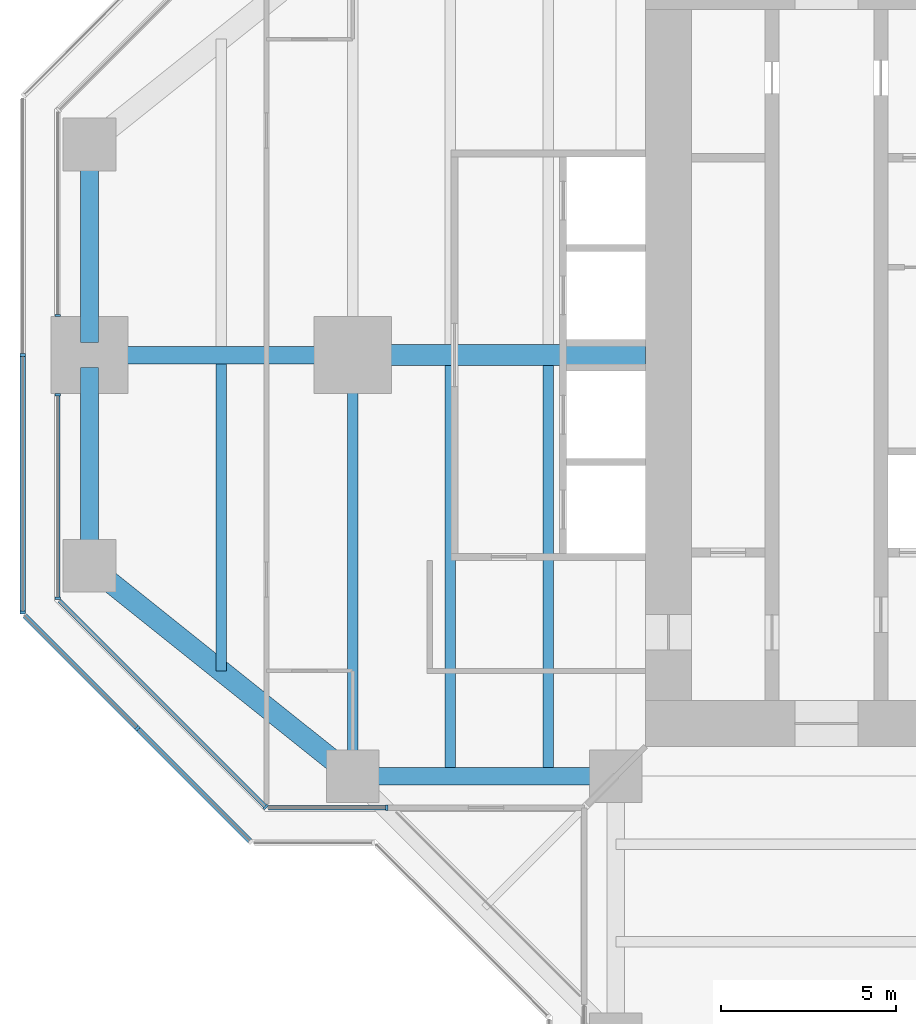
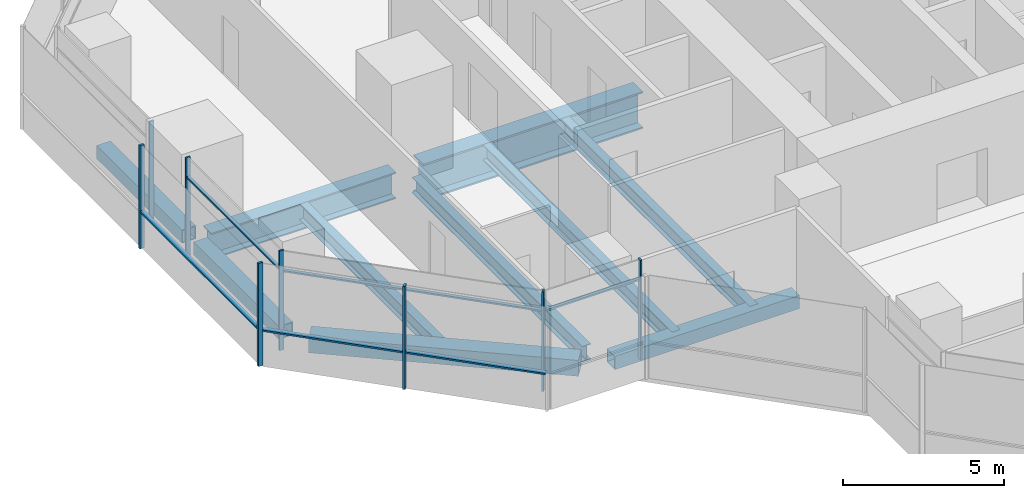
# One storey, part 3 of 17: 14 members, 10 beams, 6 elements without a shape of their own.
"""IFC4 building model written with IfcOpenShell, lengths in metres."""

from ifc_helpers import new_model, si_unit, direction, frame, origin, origin_2d, place, context, subcontext, project, spatial, rectangle, hollow_rectangle, i_section, extrude, material, material_profile, profile_set, type_object, element, aggregate, save


model = new_model("IFC4")

# Units and contexts
model_context = context("Model", 3, precision=1e-05, world=origin(), true_north=direction((0.0, 1.0)))
body_context = subcontext(model_context, "Body", "Model", "MODEL_VIEW")
ifc_project = project(units=[si_unit("LENGTHUNIT", "METRE"), si_unit("AREAUNIT", "SQUARE_METRE"), si_unit("VOLUMEUNIT", "CUBIC_METRE"), si_unit("PLANEANGLEUNIT", "RADIAN"), si_unit("MASSUNIT", "GRAM", prefix="KILO")], contexts=[model_context])

# Site, building, storey
site_placement = place(None, origin())
site = spatial("IfcSite", under=ifc_project, at=site_placement, CompositionType="ELEMENT")
building_placement = place(site_placement, origin())
building = spatial("IfcBuilding", under=site, at=building_placement, Name="Mizan Broadcast Tower", CompositionType="ELEMENT")
storey_placement = place(building_placement, frame((0.0, 0.0, 247.800048828125)))
storey = spatial("IfcBuildingStorey", under=building, at=storey_placement, Name="L58", CompositionType="ELEMENT", Elevation=247.800048828125)

# Beams
ifc_material_1 = material(Name="Steel S355", Category="steel")
ifc_material_profile_1 = material_profile(ifc_material_1, hollow_rectangle(XDim=0.5, YDim=0.5, WallThickness=0.030029296875, at=origin_2d()), Name="BOX 500x500x30")
ifc_profile_set_1 = profile_set([ifc_material_profile_1], Name="Steel S355")
beam_type_1 = type_object("IfcBeamType", Name="EDGE BEAM BOX 500x500x30", PredefinedType="SPANDREL", material=ifc_profile_set_1)
beam_1_placement = place(storey_placement, frame((-27.0, 5.639892578125, -0.380126953125), z_axis=(0.0, -1.0, 0.0), x_axis=(1.0, 0.0, 0.0)))
element("IfcBeam", 1, at=beam_1_placement, inside=storey, type_object=beam_type_1, Name="Edge beam BOX 500x500x30 L58 west arm", PredefinedType="SPANDREL", context=body_context, shape_type="SweptSolid", body=[
    extrude(hollow_rectangle(XDim=0.5, YDim=0.5, WallThickness=0.030029296875, at=origin_2d()), origin(), (0.0, 0.0, 1.0), 5.27978515625),
])
beam_2_placement = place(storey_placement, frame((-12.449951171875, -12.0, -0.380126953125), z_axis=(-1.0, 0.0, 0.0), x_axis=(0.0, -1.0, 0.0)))
element("IfcBeam", 2, at=beam_2_placement, inside=storey, type_object=beam_type_1, Name="Edge beam BOX 500x500x30 L58 west arm", PredefinedType="SPANDREL", context=body_context, shape_type="SweptSolid", body=[
    extrude(hollow_rectangle(XDim=0.5, YDim=0.5, WallThickness=0.030029296875, at=origin_2d()), origin(), (0.0, 0.0, 1.0), 6.60009765625),
])
beam_3_placement = place(storey_placement, frame((-27.0, -5.639892578125, -0.380126953125), z_axis=(0.0, 1.0, 0.0), x_axis=(-1.0, 0.0, 0.0)))
element("IfcBeam", 3, at=beam_3_placement, inside=storey, type_object=beam_type_1, Name="Edge beam BOX 500x500x30 L58 west arm", PredefinedType="SPANDREL", context=body_context, shape_type="SweptSolid", body=[
    extrude(hollow_rectangle(XDim=0.5, YDim=0.5, WallThickness=0.030029296875, at=origin_2d()), origin(), (0.0, 0.0, 1.0), 5.27978515625),
])
ifc_material_2 = material(Name="Steel S355", Category="steel")
ifc_material_profile_2 = material_profile(ifc_material_2, hollow_rectangle(XDim=0.60009765625, YDim=0.60009765625, WallThickness=0.030029296875, at=origin_2d()), Name="BOX 600x600x30")
ifc_profile_set_2 = profile_set([ifc_material_profile_2], Name="Steel S355")
beam_type_2 = type_object("IfcBeamType", Name="EDGE BEAM BOX 600x600x30", PredefinedType="SPANDREL", material=ifc_profile_set_2)
beam_4_placement = place(storey_placement, frame((-19.949951171875, -11.639892578125, -0.429931640625), z_axis=(-0.780885717636, 0.624673911726, 0.0), x_axis=(-0.624673911726, -0.780885717636, 0.0)))
element("IfcBeam", 4, at=beam_4_placement, inside=storey, type_object=beam_type_2, Name="Edge beam BOX 600x600x30 L58 west arm", PredefinedType="SPANDREL", context=body_context, shape_type="SweptSolid", body=[
    extrude(hollow_rectangle(XDim=0.60009765625, YDim=0.60009765625, WallThickness=0.030029296875, at=origin_2d()), origin(), (0.0, 0.0, 1.0), 8.4521484375),
])
ifc_material_3 = material(Name="Steel S355", Category="steel")
ifc_material_profile_3 = material_profile(ifc_material_3, i_section(OverallWidth=0.300048828125, OverallDepth=0.590087890625, WebThickness=0.012939453125, FlangeThickness=0.02490234375, FilletRadius=0.027099609375, at=origin_2d()), Name="HEA 600")
ifc_profile_set_3 = profile_set([ifc_material_profile_3], Name="Steel S355")
beam_type_3 = type_object("IfcBeamType", Name="GIRDER HEA 600", PredefinedType="BEAM", material=ifc_profile_set_3)
beam_5_placement = place(storey_placement, frame((-19.5, -11.280029296875, -0.425048828125), z_axis=(0.0, 1.0, 0.0), x_axis=(-1.0, 0.0, 0.0)))
element("IfcBeam", 5, at=beam_5_placement, inside=storey, type_object=beam_type_3, Name="Girder HEA 600 L58 west arm", PredefinedType="BEAM", context=body_context, shape_type="SweptSolid", body=[
    extrude(i_section(OverallWidth=0.300048828125, OverallDepth=0.590087890625, WebThickness=0.012939453125, FlangeThickness=0.02490234375, FilletRadius=0.027099609375, at=origin_2d()), origin(), (0.0, 0.0, 1.0), 10.56005859375),
])
ifc_material_4 = material(Name="Steel S460", Category="steel")
ifc_material_profile_4 = material_profile(ifc_material_4, i_section(OverallWidth=0.5, OverallDepth=1.0, WebThickness=0.02490234375, FlangeThickness=0.050048828125, at=origin_2d()), Name="WPG 1000x500")
ifc_profile_set_4 = profile_set([ifc_material_profile_4], Name="Steel S460")
beam_type_4 = type_object("IfcBeamType", Name="GIRDER WPG 1000x500", PredefinedType="BEAM", material=ifc_profile_set_4)
beam_6_placement = place(storey_placement, frame((-19.949951171875, 0.0, -0.630126953125), z_axis=(-1.0, 0.0, 0.0), x_axis=(0.0, -1.0, 0.0)))
element("IfcBeam", 6, at=beam_6_placement, inside=storey, type_object=beam_type_4, Name="Girder WPG 1000x500 L58 west arm", PredefinedType="BEAM", context=body_context, shape_type="SweptSolid", body=[
    extrude(i_section(OverallWidth=0.5, OverallDepth=1.0, WebThickness=0.02490234375, FlangeThickness=0.050048828125, at=origin_2d()), origin(), (0.0, 0.0, 1.0), 6.60009765625),
])
ifc_material_5 = material(Name="Steel S460", Category="steel")
ifc_material_profile_5 = material_profile(ifc_material_5, i_section(OverallWidth=0.60009765625, OverallDepth=1.39990234375, WebThickness=0.02490234375, FlangeThickness=0.06005859375, at=origin_2d()), Name="WPG 1400x600")
ifc_profile_set_5 = profile_set([ifc_material_profile_5], Name="Steel S460")
beam_type_5 = type_object("IfcBeamType", Name="GIRDER WPG 1400x600", PredefinedType="BEAM", material=ifc_profile_set_5)
beam_7_placement = place(storey_placement, frame((-11.14990234375, 0.0, -0.830078125), z_axis=(-1.0, 0.0, 0.0), x_axis=(0.0, -1.0, 0.0)))
element("IfcBeam", 7, at=beam_7_placement, inside=storey, type_object=beam_type_5, Name="Girder WPG 1400x600 L58 west arm", PredefinedType="BEAM", context=body_context, shape_type="SweptSolid", body=[
    extrude(i_section(OverallWidth=0.60009765625, OverallDepth=1.39990234375, WebThickness=0.02490234375, FlangeThickness=0.06005859375, at=origin_2d()), origin(), (0.0, 0.0, 1.0), 7.84912109375),
])

# Curtain wall, member
ifc_material_6 = material(Name="Aluminium framed glazing", Category="aluminium")
curtain_wall_type_1 = type_object("IfcCurtainWallType", Name="INNER SKIN HIGH ZONE", PredefinedType="USERDEFINED", material=ifc_material_6)
curtain_wall_1_placement = place(storey_placement, origin())
curtain_wall_1 = element("IfcCurtainWall", 8, at=curtain_wall_1_placement, inside=storey, type_object=curtain_wall_type_1, Name="Inner skin high zone L58 W end", ObjectType="INNER SKIN HIGH ZONE", PredefinedType="USERDEFINED")
ifc_material_7 = material(Name="Aluminium, pale anodised", Category="aluminium")
ifc_material_profile_6 = material_profile(ifc_material_7, rectangle(XDim=0.159912109375, YDim=0.06005859375, at=origin_2d()), Name="MULLION 160x60")
ifc_profile_set_6 = profile_set([ifc_material_profile_6], Name="Aluminium, pale anodised")
member_type_1 = type_object("IfcMemberType", Name="INNER SKIN MULLION 60x160", PredefinedType="MULLION", material=ifc_profile_set_6)
member_1_placement = place(storey_placement, frame((-27.89990234375, 1.1298828125, 0.0), z_axis=(0.0, 0.0, 1.0), x_axis=(1.0, 0.0, 0.0)))
member_1 = element("IfcMember", 9, at=member_1_placement, type_object=member_type_1, Name="Inner skin high zone L58 W end mullion 2", PredefinedType="MULLION", context=body_context, shape_type="SweptSolid", body=[
    extrude(rectangle(XDim=0.159912109375, YDim=0.06005859375, at=origin_2d()), origin(), (0.0, 0.0, 1.0), 3.77001953125),
])
aggregate(curtain_wall_1, [member_1])

# Curtain wall, members
curtain_wall_2_placement = place(storey_placement, origin())
curtain_wall_2 = element("IfcCurtainWall", 10, at=curtain_wall_2_placement, inside=storey, type_object=curtain_wall_type_1, Name="Inner skin high zone L58 W end", ObjectType="INNER SKIN HIGH ZONE", PredefinedType="USERDEFINED")
member_2_placement = place(storey_placement, frame((-27.89990234375, -1.1298828125, 0.0), z_axis=(0.0, 0.0, 1.0), x_axis=(1.0, 0.0, 0.0)))
member_2 = element("IfcMember", 11, at=member_2_placement, type_object=member_type_1, Name="Inner skin high zone L58 W end mullion 1", PredefinedType="MULLION", context=body_context, shape_type="SweptSolid", body=[
    extrude(rectangle(XDim=0.159912109375, YDim=0.06005859375, at=origin_2d()), origin(), (0.0, 0.0, 1.0), 3.77001953125),
])
member_3_placement = place(storey_placement, frame((-27.89990234375, -6.928466796875, 0.0), z_axis=(0.0, 0.0, 1.0), x_axis=(1.0, 0.0, 0.0)))
member_3 = element("IfcMember", 12, at=member_3_placement, type_object=member_type_1, Name="Inner skin high zone L58 W end mullion 2", PredefinedType="MULLION", context=body_context, shape_type="SweptSolid", body=[
    extrude(rectangle(XDim=0.159912109375, YDim=0.06005859375, at=origin_2d()), origin(), (0.0, 0.0, 1.0), 3.77001953125),
])

# Curtain wall, member
curtain_wall_3_placement = place(storey_placement, origin())
curtain_wall_3 = element("IfcCurtainWall", 13, at=curtain_wall_3_placement, inside=storey, type_object=curtain_wall_type_1, Name="Inner skin high zone L58 W chamfer", ObjectType="INNER SKIN HIGH ZONE", PredefinedType="USERDEFINED")
member_4_placement = place(storey_placement, frame((-21.979736328125, -12.87890625, 0.0), z_axis=(0.0, 0.0, 1.0), x_axis=(0.707106781187, 0.707106781187, 0.0)))
member_4 = element("IfcMember", 14, at=member_4_placement, type_object=member_type_1, Name="Inner skin high zone L58 W chamfer mullion 2", PredefinedType="MULLION", context=body_context, shape_type="SweptSolid", body=[
    extrude(rectangle(XDim=0.159912109375, YDim=0.06005859375, at=origin_2d()), origin(), (0.0, 0.0, 1.0), 3.77001953125),
])

curtain_wall_4_placement = place(storey_placement, origin())
curtain_wall_4 = element("IfcCurtainWall", 15, at=curtain_wall_4_placement, inside=storey, type_object=curtain_wall_type_1, Name="Inner skin high zone L58 W side", ObjectType="INNER SKIN HIGH ZONE", PredefinedType="USERDEFINED")
member_5_placement = place(storey_placement, frame((-18.530029296875, -12.89990234375, 0.0), z_axis=(0.0, 0.0, 1.0), x_axis=(0.0, 1.0, 0.0)))
member_5 = element("IfcMember", 16, at=member_5_placement, type_object=member_type_1, Name="Inner skin high zone L58 W side mullion 2", PredefinedType="MULLION", context=body_context, shape_type="SweptSolid", body=[
    extrude(rectangle(XDim=0.159912109375, YDim=0.06005859375, at=origin_2d()), origin(), (0.0, 0.0, 1.0), 3.77001953125),
])

# Member
ifc_material_8 = material(Name="Aluminium, pale anodised", Category="aluminium")
ifc_material_profile_7 = material_profile(ifc_material_8, rectangle(XDim=0.1201171875, YDim=0.06005859375, at=origin_2d()), Name="TRANSOM 120x60")
ifc_profile_set_7 = profile_set([ifc_material_profile_7], Name="Aluminium, pale anodised")
member_type_2 = type_object("IfcMemberType", Name="INNER SKIN TRANSOM 60x120", PredefinedType="USERDEFINED", material=ifc_profile_set_7)
member_6_placement = place(storey_placement, frame((-27.89990234375, -1.159912109375, 3.030029296875), z_axis=(0.0, -1.0, 0.0), x_axis=(1.0, 0.0, 0.0)))
member_6 = element("IfcMember", 17, at=member_6_placement, type_object=member_type_2, Name="Inner skin high zone L58 W end transom 1.1", ObjectType="TRANSOM", PredefinedType="USERDEFINED", context=body_context, shape_type="SweptSolid", body=[
    extrude(rectangle(XDim=0.1201171875, YDim=0.06005859375, at=origin_2d()), origin(), (0.0, 0.0, 1.0), 5.73876953125),
])

aggregate(curtain_wall_2, [member_2, member_3, member_6])

member_7_placement = place(storey_placement, frame((-27.857666015625, -7.0009765625, 3.030029296875), z_axis=(0.707106781187, -0.707106781187, 0.0), x_axis=(0.707106781187, 0.707106781187, 0.0)))
member_7 = element("IfcMember", 18, at=member_7_placement, type_object=member_type_2, Name="Inner skin high zone L58 W chamfer transom 1.1", ObjectType="TRANSOM", PredefinedType="USERDEFINED", context=body_context, shape_type="SweptSolid", body=[
    extrude(rectangle(XDim=0.1201171875, YDim=0.06005859375, at=origin_2d()), origin(), (0.0, 0.0, 1.0), 8.28271484375),
])

aggregate(curtain_wall_3, [member_4, member_7])

member_8_placement = place(storey_placement, frame((-21.898681640625, -12.89990234375, 3.030029296875), z_axis=(1.0, 0.0, 0.0), x_axis=(0.0, 1.0, 0.0)))
member_8 = element("IfcMember", 19, at=member_8_placement, type_object=member_type_2, Name="Inner skin high zone L58 W side transom 1.1", ObjectType="TRANSOM", PredefinedType="USERDEFINED", context=body_context, shape_type="SweptSolid", body=[
    extrude(rectangle(XDim=0.1201171875, YDim=0.06005859375, at=origin_2d()), origin(), (0.0, 0.0, 1.0), 3.338623046875),
])

aggregate(curtain_wall_4, [member_5, member_8])

# Curtain wall, members
ifc_material_9 = material(Name="Aluminium framed glazing", Category="aluminium")
curtain_wall_type_2 = type_object("IfcCurtainWallType", Name="OUTER SKIN", PredefinedType="USERDEFINED", material=ifc_material_9)
curtain_wall_5_placement = place(storey_placement, origin())
curtain_wall_5 = element("IfcCurtainWall", 20, at=curtain_wall_5_placement, inside=storey, type_object=curtain_wall_type_2, Name="Outer skin L58 W end", ObjectType="OUTER SKIN", PredefinedType="USERDEFINED")
ifc_material_10 = material(Name="Aluminium, pale anodised", Category="aluminium")
ifc_material_profile_8 = material_profile(ifc_material_10, rectangle(XDim=0.159912109375, YDim=0.080078125, at=origin_2d()), Name="MULLION 160x80")
ifc_profile_set_8 = profile_set([ifc_material_profile_8], Name="Aluminium, pale anodised")
member_type_3 = type_object("IfcMemberType", Name="OUTER SKIN MULLION 80x160", PredefinedType="MULLION", material=ifc_profile_set_8)
member_9_placement = place(storey_placement, frame((-28.89990234375, 0.0, 0.0), z_axis=(0.0, 0.0, 1.0), x_axis=(1.0, 0.0, 0.0)))
member_9 = element("IfcMember", 21, at=member_9_placement, type_object=member_type_3, Name="Outer skin L58 W end mullion 2", PredefinedType="MULLION", context=body_context, shape_type="SweptSolid", body=[
    extrude(rectangle(XDim=0.159912109375, YDim=0.080078125, at=origin_2d()), origin(), (0.0, 0.0, 1.0), 3.89990234375),
])
member_10_placement = place(storey_placement, frame((-28.89990234375, -7.332763671875, 0.0), z_axis=(0.0, 0.0, 1.0), x_axis=(1.0, 0.0, 0.0)))
member_10 = element("IfcMember", 22, at=member_10_placement, type_object=member_type_3, Name="Outer skin L58 W end mullion 3", PredefinedType="MULLION", context=body_context, shape_type="SweptSolid", body=[
    extrude(rectangle(XDim=0.159912109375, YDim=0.080078125, at=origin_2d()), origin(), (0.0, 0.0, 1.0), 3.89990234375),
])

# Curtain wall, member
curtain_wall_6_placement = place(storey_placement, origin())
curtain_wall_6 = element("IfcCurtainWall", 23, at=curtain_wall_6_placement, inside=storey, type_object=curtain_wall_type_2, Name="Outer skin L58 W chamfer", ObjectType="OUTER SKIN", PredefinedType="USERDEFINED")
member_11_placement = place(storey_placement, frame((-25.636474609375, -10.636474609375, 0.0), z_axis=(0.0, 0.0, 1.0), x_axis=(0.707106781187, 0.707106781187, 0.0)))
member_11 = element("IfcMember", 24, at=member_11_placement, type_object=member_type_3, Name="Outer skin L58 W chamfer mullion 2", PredefinedType="MULLION", context=body_context, shape_type="SweptSolid", body=[
    extrude(rectangle(XDim=0.159912109375, YDim=0.080078125, at=origin_2d()), origin(), (0.0, 0.0, 1.0), 3.89990234375),
])

# Member
ifc_material_11 = material(Name="Aluminium, pale anodised", Category="aluminium")
ifc_material_profile_9 = material_profile(ifc_material_11, rectangle(XDim=0.159912109375, YDim=0.06005859375, at=origin_2d()), Name="TRANSOM 160x60")
ifc_profile_set_9 = profile_set([ifc_material_profile_9], Name="Aluminium, pale anodised")
member_type_4 = type_object("IfcMemberType", Name="OUTER SKIN TRANSOM 60x160", PredefinedType="USERDEFINED", material=ifc_profile_set_9)
member_12_placement = place(storey_placement, frame((-28.89990234375, -0.0400390625, 1.39990234375), z_axis=(0.0, -1.0, 0.0), x_axis=(1.0, 0.0, 0.0)))
member_12 = element("IfcMember", 25, at=member_12_placement, type_object=member_type_4, Name="Outer skin L58 W end transom 2.1", ObjectType="TRANSOM", PredefinedType="USERDEFINED", context=body_context, shape_type="SweptSolid", body=[
    extrude(rectangle(XDim=0.159912109375, YDim=0.06005859375, at=origin_2d()), origin(), (0.0, 0.0, 1.0), 7.252685546875),
])

aggregate(curtain_wall_5, [member_9, member_10, member_12])

member_13_placement = place(storey_placement, frame((-28.843505859375, -7.429443359375, 1.39990234375), z_axis=(0.707106781187, -0.707106781187, 0.0), x_axis=(0.707106781187, 0.707106781187, 0.0)))
member_13 = element("IfcMember", 26, at=member_13_placement, type_object=member_type_4, Name="Outer skin L58 W chamfer transom 1.1", ObjectType="TRANSOM", PredefinedType="USERDEFINED", context=body_context, shape_type="SweptSolid", body=[
    extrude(rectangle(XDim=0.159912109375, YDim=0.06005859375, at=origin_2d()), origin(), (0.0, 0.0, 1.0), 4.495361328125),
])

member_14_placement = place(storey_placement, frame((-25.608154296875, -10.664794921875, 1.39990234375), z_axis=(0.707106781187, -0.707106781187, 0.0), x_axis=(0.707106781187, 0.707106781187, 0.0)))
member_14 = element("IfcMember", 27, at=member_14_placement, type_object=member_type_4, Name="Outer skin L58 W chamfer transom 2.1", ObjectType="TRANSOM", PredefinedType="USERDEFINED", context=body_context, shape_type="SweptSolid", body=[
    extrude(rectangle(XDim=0.159912109375, YDim=0.06005859375, at=origin_2d()), origin(), (0.0, 0.0, 1.0), 4.495361328125),
])

aggregate(curtain_wall_6, [member_11, member_13, member_14])

# Beams
ifc_material_12 = material(Name="Steel S355", Category="steel")
ifc_material_profile_10 = material_profile(ifc_material_12, i_section(OverallWidth=0.300048828125, OverallDepth=0.590087890625, WebThickness=0.012939453125, FlangeThickness=0.02490234375, FilletRadius=0.027099609375, at=origin_2d()), Name="HEA 600")
ifc_profile_set_10 = profile_set([ifc_material_profile_10], Name="Steel S355")
beam_type_6 = type_object("IfcBeamType", Name="SECONDARY BEAM HEA 600", PredefinedType="JOIST", material=ifc_profile_set_10)
for number, where, z_axis, x_axis, name in (
    (28, (-13.933349609375, -12.0, -0.425048828125), (0.0, 1.0, 0.0), (-1.0, 0.0, 0.0), "Secondary beam HEA 600 L58 west arm"),
    (29, (-16.716552734375, -12.0, -0.425048828125), (0.0, 1.0, 0.0), (-1.0, 0.0, 0.0), "Secondary beam HEA 600 L58 west arm"),
):
    element("IfcBeam", number, at=place(storey_placement, frame(where, z_axis=z_axis, x_axis=x_axis)), inside=storey, type_object=beam_type_6, Name=name, PredefinedType="JOIST", context=body_context, shape_type="SweptSolid", body=[
        extrude(i_section(OverallWidth=0.300048828125, OverallDepth=0.590087890625, WebThickness=0.012939453125, FlangeThickness=0.02490234375, FilletRadius=0.027099609375, at=origin_2d()), origin(), (0.0, 0.0, 1.0), 11.699951171875),
    ])
beam_8_placement = place(storey_placement, frame((-23.25, -9.0, -0.425048828125), z_axis=(0.0, 1.0, 0.0), x_axis=(-1.0, 0.0, 0.0)))
element("IfcBeam", 30, at=beam_8_placement, inside=storey, type_object=beam_type_6, Name="Secondary beam HEA 600 L58 west arm", PredefinedType="JOIST", context=body_context, shape_type="SweptSolid", body=[
    extrude(i_section(OverallWidth=0.300048828125, OverallDepth=0.590087890625, WebThickness=0.012939453125, FlangeThickness=0.02490234375, FilletRadius=0.027099609375, at=origin_2d()), origin(), (0.0, 0.0, 1.0), 8.75),
])

save(model, "model.ifc")
